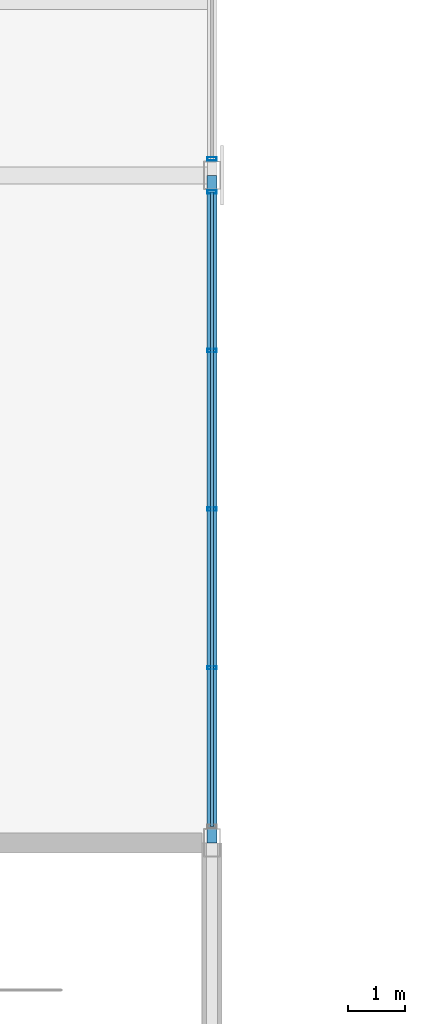
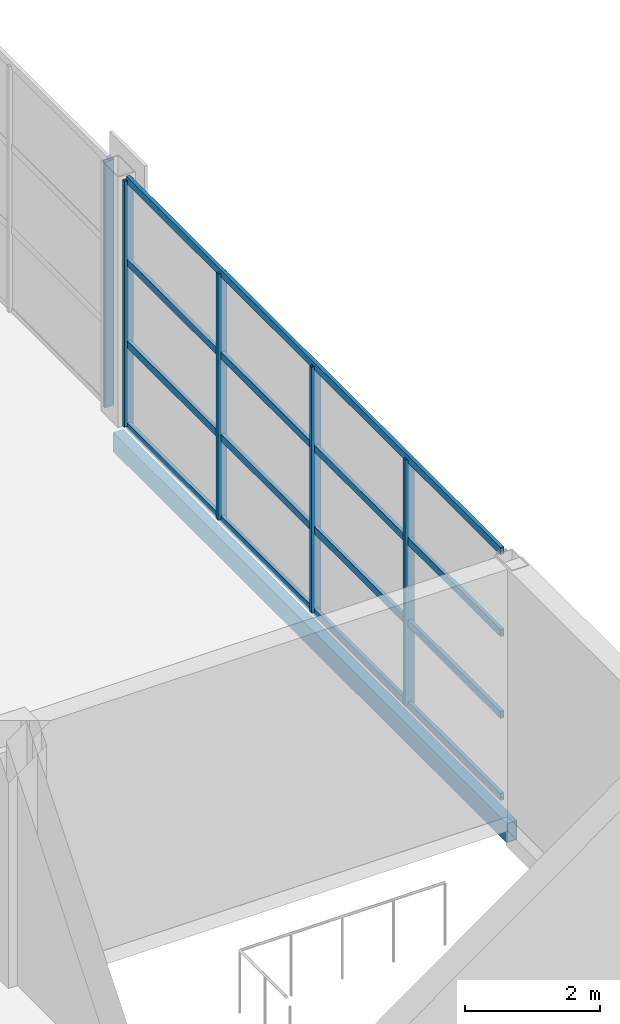
# One storey, part 29 of 86: 9 members, 1 beam, 2 elements without a shape of their own.
"""IFC4 building model written with IfcOpenShell, lengths in metres."""

from ifc_helpers import new_model, si_unit, direction, frame, origin, origin_2d, place, context, subcontext, project, spatial, hollow_rectangle, extrude, material, material_profile, profile_set, type_object, element, aggregate, save


model = new_model("IFC4")

# Units and contexts
model_context = context("Model", 3, precision=1e-05, world=origin(), true_north=direction((0.0, 1.0)))
body_context = subcontext(model_context, "Body", "Model", "MODEL_VIEW")
ifc_project = project(units=[si_unit("LENGTHUNIT", "METRE"), si_unit("AREAUNIT", "SQUARE_METRE"), si_unit("VOLUMEUNIT", "CUBIC_METRE"), si_unit("PLANEANGLEUNIT", "RADIAN"), si_unit("MASSUNIT", "GRAM", prefix="KILO")], contexts=[model_context])

# Site, building, storey
site_placement = place(None, origin())
site = spatial("IfcSite", under=ifc_project, at=site_placement, CompositionType="ELEMENT")
building_placement = place(site_placement, origin())
building = spatial("IfcBuilding", under=site, at=building_placement, Name="Solvikara Media Centre", CompositionType="ELEMENT")
storey_placement = place(building_placement, frame((0.0, 0.0, 15.0)))
storey = spatial("IfcBuildingStorey", under=building, at=storey_placement, Name="L03", CompositionType="ELEMENT", Elevation=15.0)

# Beam
ifc_material_1 = material(Name="Steel S355JR", Category="steel")
ifc_material_profile_1 = material_profile(ifc_material_1, hollow_rectangle(XDim=0.175048828125, YDim=0.35009765625, WallThickness=0.010009765625, at=origin_2d()), Name="RHS 350x175x10")
ifc_profile_set_1 = profile_set([ifc_material_profile_1], Name="Steel S355JR")
beam_type = type_object("IfcBeamType", Name="BM-34", PredefinedType="SPANDREL", material=ifc_profile_set_1)
beam_placement = place(storey_placement, frame((34.0, 44.800048828125, -0.43701171875), z_axis=(0.0, 1.0, 0.0), x_axis=(-1.0, 0.0, 0.0)))
element("IfcBeam", 1, at=beam_placement, inside=storey, type_object=beam_type, Name="B-L03-Y1258", PredefinedType="SPANDREL", context=body_context, shape_type="SweptSolid", body=[
    extrude(hollow_rectangle(XDim=0.175048828125, YDim=0.35009765625, WallThickness=0.010009765625, at=origin_2d()), origin(), (0.0, 0.0, 1.0), 11.699951171875),
])

# Curtain wall, members
ifc_material_2 = material(Name="Anodised aluminium EN AW-6063", Category="aluminium")
curtain_wall_type = type_object("IfcCurtainWallType", Name="CW-07", PredefinedType="NOTDEFINED", material=ifc_material_2)
curtain_wall_1_placement = place(storey_placement, origin())
curtain_wall_1 = element("IfcCurtainWall", 2, at=curtain_wall_1_placement, inside=storey, type_object=curtain_wall_type, Name="CW-L03-V4E-S1", PredefinedType="NOTDEFINED")
ifc_material_profile_2 = material_profile(ifc_material_2, hollow_rectangle(XDim=0.06005859375, YDim=0.159912109375, WallThickness=0.00341796875, at=origin_2d()), Name="ALU-M 60x160x3.5")
ifc_profile_set_2 = profile_set([ifc_material_profile_2], Name="Anodised aluminium EN AW-6063")
member_type_1 = type_object("IfcMemberType", Name="MF-04", PredefinedType="MULLION", material=ifc_profile_set_2)
member_1_placement = place(storey_placement, frame((34.0, 47.8701171875, 0.02001953125), z_axis=(0.0, 0.0, 1.0), x_axis=(0.0, 1.0, 0.0)))
member_1 = element("IfcMember", 3, at=member_1_placement, type_object=member_type_1, Name="CW-L03-V4E-S1-M01", PredefinedType="MULLION", context=body_context, shape_type="SweptSolid", body=[
    extrude(hollow_rectangle(XDim=0.06005859375, YDim=0.159912109375, WallThickness=0.00341796875, at=origin_2d()), origin(), (0.0, 0.0, 1.0), 4.4599609375),
])
member_2_placement = place(storey_placement, frame((34.0, 50.64990234375, 0.02001953125), z_axis=(0.0, 0.0, 1.0), x_axis=(0.0, 1.0, 0.0)))
member_2 = element("IfcMember", 4, at=member_2_placement, type_object=member_type_1, Name="CW-L03-V4E-S1-M02", PredefinedType="MULLION", context=body_context, shape_type="SweptSolid", body=[
    extrude(hollow_rectangle(XDim=0.06005859375, YDim=0.159912109375, WallThickness=0.00341796875, at=origin_2d()), origin(), (0.0, 0.0, 1.0), 4.4599609375),
])
member_3_placement = place(storey_placement, frame((34.0, 53.429931640625, 0.02001953125), z_axis=(0.0, 0.0, 1.0), x_axis=(0.0, 1.0, 0.0)))
member_3 = element("IfcMember", 5, at=member_3_placement, type_object=member_type_1, Name="CW-L03-V4E-S1-M03", PredefinedType="MULLION", context=body_context, shape_type="SweptSolid", body=[
    extrude(hollow_rectangle(XDim=0.06005859375, YDim=0.159912109375, WallThickness=0.00341796875, at=origin_2d()), origin(), (0.0, 0.0, 1.0), 4.4599609375),
])
member_4_placement = place(storey_placement, frame((34.0, 56.2099609375, 0.02001953125), z_axis=(0.0, 0.0, 1.0), x_axis=(0.0, 1.0, 0.0)))
member_4 = element("IfcMember", 6, at=member_4_placement, type_object=member_type_1, Name="CW-L03-V4E-S1-M04", PredefinedType="MULLION", context=body_context, shape_type="SweptSolid", body=[
    extrude(hollow_rectangle(XDim=0.06005859375, YDim=0.159912109375, WallThickness=0.00341796875, at=origin_2d()), origin(), (0.0, 0.0, 1.0), 4.4599609375),
])

# Curtain wall, member
curtain_wall_2_placement = place(storey_placement, origin())
curtain_wall_2 = element("IfcCurtainWall", 7, at=curtain_wall_2_placement, inside=storey, type_object=curtain_wall_type, Name="CW-L03-V4E-S2", PredefinedType="NOTDEFINED")
member_5_placement = place(storey_placement, frame((34.0, 56.7900390625, 0.02001953125), z_axis=(0.0, 0.0, 1.0), x_axis=(0.0, 1.0, 0.0)))
member_5 = element("IfcMember", 8, at=member_5_placement, type_object=member_type_1, Name="CW-L03-V4E-S2-M00", PredefinedType="MULLION", context=body_context, shape_type="SweptSolid", body=[
    extrude(hollow_rectangle(XDim=0.06005859375, YDim=0.159912109375, WallThickness=0.00341796875, at=origin_2d()), origin(), (0.0, 0.0, 1.0), 4.4599609375),
])
aggregate(curtain_wall_2, [member_5])

# Member
ifc_material_profile_3 = material_profile(ifc_material_2, hollow_rectangle(XDim=0.06005859375, YDim=0.1298828125, WallThickness=0.0029296875, at=origin_2d()), Name="ALU-T 60x130x3")
ifc_profile_set_3 = profile_set([ifc_material_profile_3], Name="Anodised aluminium EN AW-6063")
member_type_2 = type_object("IfcMemberType", Name="MF-10", PredefinedType="USERDEFINED", material=ifc_profile_set_3)
member_6_placement = place(storey_placement, frame((34.0, 45.090087890625, 0.02001953125), z_axis=(0.0, 1.0, 0.0), x_axis=(-1.0, 0.0, 0.0)))
member_6 = element("IfcMember", 9, at=member_6_placement, type_object=member_type_2, Name="CW-L03-V4E-S1-T00", ObjectType="TRANSOM", PredefinedType="USERDEFINED", context=body_context, shape_type="SweptSolid", body=[
    extrude(hollow_rectangle(XDim=0.06005859375, YDim=0.1298828125, WallThickness=0.0029296875, at=origin_2d()), origin(), (0.0, 0.0, 1.0), 11.119873046875),
])

member_7_placement = place(storey_placement, frame((34.0, 45.090087890625, 1.507080078125), z_axis=(0.0, 1.0, 0.0), x_axis=(-1.0, 0.0, 0.0)))
member_7 = element("IfcMember", 10, at=member_7_placement, type_object=member_type_2, Name="CW-L03-V4E-S1-T01", ObjectType="TRANSOM", PredefinedType="USERDEFINED", context=body_context, shape_type="SweptSolid", body=[
    extrude(hollow_rectangle(XDim=0.06005859375, YDim=0.1298828125, WallThickness=0.0029296875, at=origin_2d()), origin(), (0.0, 0.0, 1.0), 11.119873046875),
])

member_8_placement = place(storey_placement, frame((34.0, 45.090087890625, 2.992919921875), z_axis=(0.0, 1.0, 0.0), x_axis=(-1.0, 0.0, 0.0)))
member_8 = element("IfcMember", 11, at=member_8_placement, type_object=member_type_2, Name="CW-L03-V4E-S1-T02", ObjectType="TRANSOM", PredefinedType="USERDEFINED", context=body_context, shape_type="SweptSolid", body=[
    extrude(hollow_rectangle(XDim=0.06005859375, YDim=0.1298828125, WallThickness=0.0029296875, at=origin_2d()), origin(), (0.0, 0.0, 1.0), 11.119873046875),
])

member_9_placement = place(storey_placement, frame((34.0, 45.090087890625, 4.47998046875), z_axis=(0.0, 1.0, 0.0), x_axis=(-1.0, 0.0, 0.0)))
member_9 = element("IfcMember", 12, at=member_9_placement, type_object=member_type_2, Name="CW-L03-V4E-S1-T03", ObjectType="TRANSOM", PredefinedType="USERDEFINED", context=body_context, shape_type="SweptSolid", body=[
    extrude(hollow_rectangle(XDim=0.06005859375, YDim=0.1298828125, WallThickness=0.0029296875, at=origin_2d()), origin(), (0.0, 0.0, 1.0), 11.119873046875),
])

aggregate(curtain_wall_1, [member_1, member_2, member_3, member_4, member_6, member_7, member_8, member_9])

save(model, "model.ifc")
